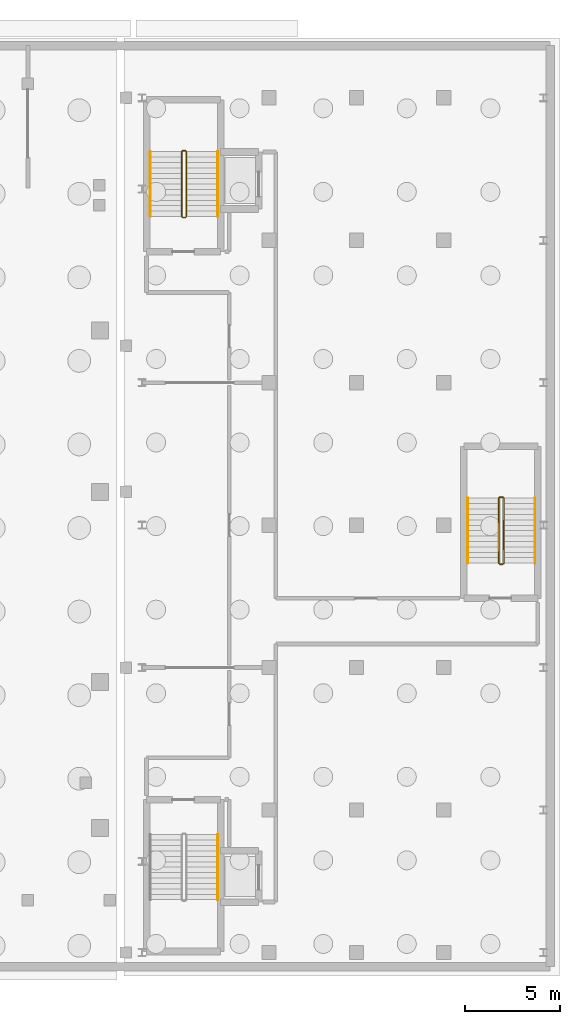
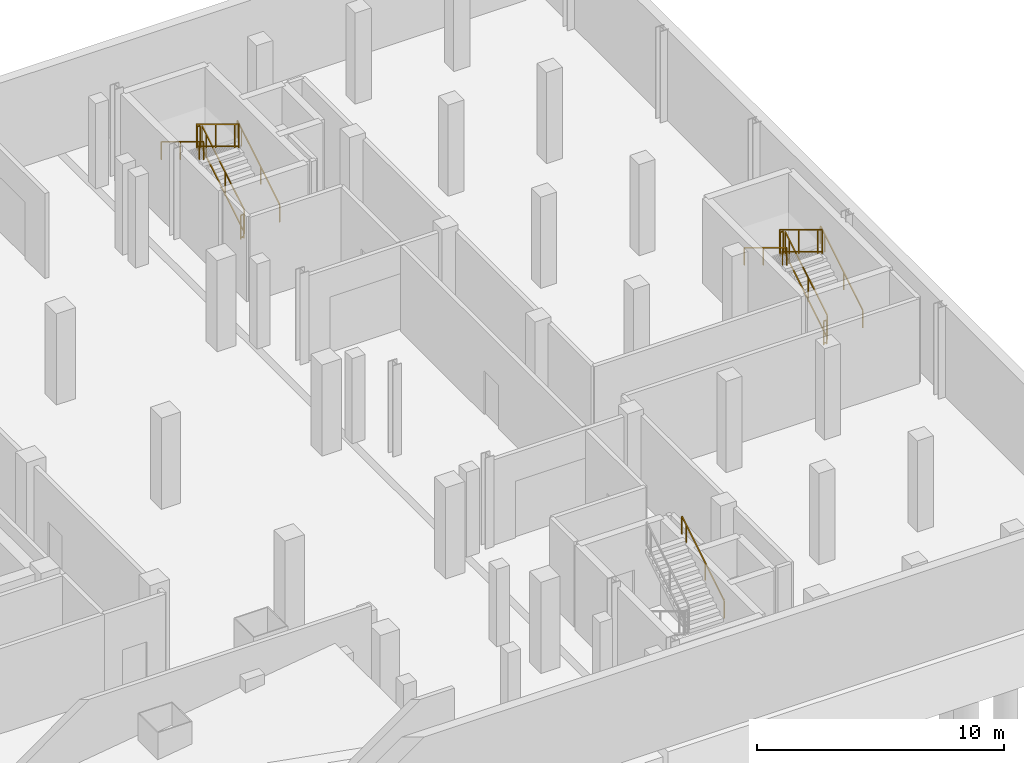
# One storey, part 14 of 15: 13 railings.
"""IFC4 building model written with IfcOpenShell, lengths in metres."""

from ifc_helpers import new_model, si_unit, direction, frame, origin, origin_2d, place, context, subcontext, project, spatial, rectangle, extrude, material, type_object, element, save


model = new_model("IFC4")

# Units and contexts
model_context = context("Model", 3, precision=1e-05, world=origin(), true_north=direction((0.0, 1.0)))
body_context = subcontext(model_context, "Body", "Model", "MODEL_VIEW")
ifc_project = project(units=[si_unit("LENGTHUNIT", "METRE"), si_unit("AREAUNIT", "SQUARE_METRE"), si_unit("VOLUMEUNIT", "CUBIC_METRE"), si_unit("PLANEANGLEUNIT", "RADIAN"), si_unit("MASSUNIT", "GRAM", prefix="KILO")], contexts=[model_context])

# Site, building, storey
site_placement = place(None, origin())
site = spatial("IfcSite", under=ifc_project, at=site_placement, CompositionType="ELEMENT")
building_placement = place(site_placement, origin())
building = spatial("IfcBuilding", under=site, at=building_placement, Name="Mersakhor Tower and Convention Hall", CompositionType="ELEMENT")
storey_placement = place(building_placement, frame((0.0, 0.0, -9.0)))
storey = spatial("IfcBuildingStorey", under=building, at=storey_placement, Name="B02", CompositionType="ELEMENT", Elevation=-9.0)

# Railings
ifc_material_1 = material(Name="Brushed stainless steel handrail", Category="steel")
railing_type_1 = type_object("IfcRailingType", Name="RL-HR-900", PredefinedType="HANDRAIL", material=ifc_material_1)
for number, where, name in (
    (1, (59.5, 6.030029296875, 2.423095703125), "B02 CH-ST1 stair handrail 2"),
    (2, (59.5, 42.0, 0.173095703125), "B02 CH-ST2 stair handrail 1"),
):
    element("IfcRailing", number, at=place(storey_placement, frame(where)), inside=storey, type_object=railing_type_1, Name=name, PredefinedType="HANDRAIL", context=body_context, shape_type="SweptSolid", body=[
        extrude(rectangle(XDim=0.048095703125, YDim=0.048095703125, at=origin_2d()), frame((0.0, 0.0, 0.8759765625), z_axis=(0.0, 0.854729506542, 0.519073665916), x_axis=(-1.0, 0.0, 0.0)), (0.0, 0.0, 1.0), 4.001220703125),
        extrude(rectangle(XDim=0.0419921875, YDim=0.0419921875, at=origin_2d()), origin(), (0.0, 0.0, 1.0), 0.851806640625),
        extrude(rectangle(XDim=0.0419921875, YDim=0.0419921875, at=origin_2d()), frame((0.0, 1.53857421875, 0.934326171875)), (0.0, 0.0, 1.0), 0.851806640625),
        extrude(rectangle(XDim=0.0419921875, YDim=0.0419921875, at=origin_2d()), frame((0.0, 3.076904296875, 1.86865234375)), (0.0, 0.0, 1.0), 0.851806640625),
        extrude(rectangle(XDim=0.0419921875, YDim=0.0419921875, at=origin_2d()), frame((0.0, 3.419921875, 2.076904296875)), (0.0, 0.0, 1.0), 0.851806640625),
    ])
railing_1_placement = place(storey_placement, frame((55.949951171875, 45.419921875, 2.423095703125)))
element("IfcRailing", 3, at=railing_1_placement, inside=storey, type_object=railing_type_1, Name="B02 CH-ST2 stair handrail 2", PredefinedType="HANDRAIL", context=body_context, shape_type="SweptSolid", body=[
    extrude(rectangle(XDim=0.048095703125, YDim=0.048095703125, at=origin_2d()), frame((0.0, 0.0, 0.8759765625), z_axis=(0.0, -0.854729506542, 0.519073665916), x_axis=(1.0, 0.0, 0.0)), (0.0, 0.0, 1.0), 4.001220703125),
    extrude(rectangle(XDim=0.0419921875, YDim=0.0419921875, at=origin_2d()), origin(), (0.0, 0.0, 1.0), 0.851806640625),
    extrude(rectangle(XDim=0.0419921875, YDim=0.0419921875, at=origin_2d()), frame((0.0, -1.53857421875, 0.934326171875)), (0.0, 0.0, 1.0), 0.851806640625),
    extrude(rectangle(XDim=0.0419921875, YDim=0.0419921875, at=origin_2d()), frame((0.0, -3.076904296875, 1.86865234375)), (0.0, 0.0, 1.0), 0.851806640625),
    extrude(rectangle(XDim=0.0419921875, YDim=0.0419921875, at=origin_2d()), frame((0.0, -3.419921875, 2.076904296875)), (0.0, 0.0, 1.0), 0.851806640625),
])
railing_2_placement = place(storey_placement, frame((76.199951171875, 23.75, 0.173095703125)))
element("IfcRailing", 4, at=railing_2_placement, inside=storey, type_object=railing_type_1, Name="B02 CH-ST3 stair handrail 1", PredefinedType="HANDRAIL", context=body_context, shape_type="SweptSolid", body=[
    extrude(rectangle(XDim=0.048095703125, YDim=0.048095703125, at=origin_2d()), frame((0.0, 0.0, 0.8759765625), z_axis=(0.0, 0.854729506542, 0.519073665916), x_axis=(-1.0, 0.0, 0.0)), (0.0, 0.0, 1.0), 4.001220703125),
    extrude(rectangle(XDim=0.0419921875, YDim=0.0419921875, at=origin_2d()), origin(), (0.0, 0.0, 1.0), 0.851806640625),
    extrude(rectangle(XDim=0.0419921875, YDim=0.0419921875, at=origin_2d()), frame((0.0, 1.53857421875, 0.934326171875)), (0.0, 0.0, 1.0), 0.851806640625),
    extrude(rectangle(XDim=0.0419921875, YDim=0.0419921875, at=origin_2d()), frame((0.0, 3.076904296875, 1.86865234375)), (0.0, 0.0, 1.0), 0.851806640625),
    extrude(rectangle(XDim=0.0419921875, YDim=0.0419921875, at=origin_2d()), frame((0.0, 3.419921875, 2.076904296875)), (0.0, 0.0, 1.0), 0.851806640625),
])
railing_3_placement = place(storey_placement, frame((72.64990234375, 27.169921875, 2.423095703125)))
element("IfcRailing", 5, at=railing_3_placement, inside=storey, type_object=railing_type_1, Name="B02 CH-ST3 stair handrail 2", PredefinedType="HANDRAIL", context=body_context, shape_type="SweptSolid", body=[
    extrude(rectangle(XDim=0.048095703125, YDim=0.048095703125, at=origin_2d()), frame((0.0, 0.0, 0.8759765625), z_axis=(0.0, -0.854729506542, 0.519073665916), x_axis=(1.0, 0.0, 0.0)), (0.0, 0.0, 1.0), 4.001220703125),
    extrude(rectangle(XDim=0.0419921875, YDim=0.0419921875, at=origin_2d()), origin(), (0.0, 0.0, 1.0), 0.851806640625),
    extrude(rectangle(XDim=0.0419921875, YDim=0.0419921875, at=origin_2d()), frame((0.0, -1.53857421875, 0.934326171875)), (0.0, 0.0, 1.0), 0.851806640625),
    extrude(rectangle(XDim=0.0419921875, YDim=0.0419921875, at=origin_2d()), frame((0.0, -3.076904296875, 1.86865234375)), (0.0, 0.0, 1.0), 0.851806640625),
    extrude(rectangle(XDim=0.0419921875, YDim=0.0419921875, at=origin_2d()), frame((0.0, -3.419921875, 2.076904296875)), (0.0, 0.0, 1.0), 0.851806640625),
])
ifc_material_2 = material(Name="Painted steel stair balustrade S355", Category="steel")
railing_type_2 = type_object("IfcRailingType", Name="RL-STG-1200", PredefinedType="BALUSTRADE", material=ifc_material_2)
railing_4_placement = place(storey_placement, frame((57.85009765625, 42.0, 0.173095703125)))
element("IfcRailing", 6, at=railing_4_placement, inside=storey, type_object=railing_type_2, Name="B02 CH-ST2 stair guard 1", PredefinedType="BALUSTRADE", context=body_context, shape_type="SweptSolid", body=[
    extrude(rectangle(XDim=0.048095703125, YDim=0.048095703125, at=origin_2d()), frame((0.0, 0.0, 1.17578125), z_axis=(0.0, 0.854729506542, 0.519073665916), x_axis=(-1.0, 0.0, 0.0)), (0.0, 0.0, 1.0), 4.001220703125),
    extrude(rectangle(XDim=0.048095703125, YDim=0.048095703125, at=origin_2d()), frame((0.0, 0.0, 0.080078125), z_axis=(0.0, 0.854729506542, 0.519073665916), x_axis=(-1.0, 0.0, 0.0)), (0.0, 0.0, 1.0), 4.001220703125),
    extrude(rectangle(XDim=0.0419921875, YDim=0.0419921875, at=origin_2d()), origin(), (0.0, 0.0, 1.0), 1.15185546875),
    extrude(rectangle(XDim=0.0419921875, YDim=0.0419921875, at=origin_2d()), frame((0.0, 1.53857421875, 0.934326171875)), (0.0, 0.0, 1.0), 1.15185546875),
    extrude(rectangle(XDim=0.0419921875, YDim=0.0419921875, at=origin_2d()), frame((0.0, 3.076904296875, 1.86865234375)), (0.0, 0.0, 1.0), 1.15185546875),
    extrude(rectangle(XDim=0.0419921875, YDim=0.0419921875, at=origin_2d()), frame((0.0, 3.419921875, 2.076904296875)), (0.0, 0.0, 1.0), 1.15185546875),
])
railing_5_placement = place(storey_placement, frame((57.800048828125, 45.469970703125, 2.25)))
element("IfcRailing", 7, at=railing_5_placement, inside=storey, type_object=railing_type_2, Name="B02 CH-ST2 stair guard 2", PredefinedType="BALUSTRADE", context=body_context, shape_type="SweptSolid", body=[
    extrude(rectangle(XDim=0.048095703125, YDim=0.048095703125, at=origin_2d()), frame((0.0, 0.0, 1.17578125), z_axis=(-1.0, 0.0, 0.0), x_axis=(0.0, -1.0, 0.0)), (0.0, 0.0, 1.0), 0.150146484375),
    extrude(rectangle(XDim=0.048095703125, YDim=0.048095703125, at=origin_2d()), frame((0.0, 0.0, 0.080078125), z_axis=(-1.0, 0.0, 0.0), x_axis=(0.0, -1.0, 0.0)), (0.0, 0.0, 1.0), 0.150146484375),
    extrude(rectangle(XDim=0.0419921875, YDim=0.0419921875, at=origin_2d()), origin(), (0.0, 0.0, 1.0), 1.15185546875),
    extrude(rectangle(XDim=0.0419921875, YDim=0.0419921875, at=origin_2d()), frame((-0.150146484375, 0.0, 0.0)), (0.0, 0.0, 1.0), 1.15185546875),
])
railing_6_placement = place(storey_placement, frame((57.60009765625, 45.419921875, 2.423095703125)))
element("IfcRailing", 8, at=railing_6_placement, inside=storey, type_object=railing_type_2, Name="B02 CH-ST2 stair guard 3", PredefinedType="BALUSTRADE", context=body_context, shape_type="SweptSolid", body=[
    extrude(rectangle(XDim=0.048095703125, YDim=0.048095703125, at=origin_2d()), frame((0.0, 0.0, 1.17578125), z_axis=(0.0, -0.854729506542, 0.519073665916), x_axis=(1.0, 0.0, 0.0)), (0.0, 0.0, 1.0), 4.001220703125),
    extrude(rectangle(XDim=0.048095703125, YDim=0.048095703125, at=origin_2d()), frame((0.0, 0.0, 0.080078125), z_axis=(0.0, -0.854729506542, 0.519073665916), x_axis=(1.0, 0.0, 0.0)), (0.0, 0.0, 1.0), 4.001220703125),
    extrude(rectangle(XDim=0.0419921875, YDim=0.0419921875, at=origin_2d()), origin(), (0.0, 0.0, 1.0), 1.15185546875),
    extrude(rectangle(XDim=0.0419921875, YDim=0.0419921875, at=origin_2d()), frame((0.0, -1.53857421875, 0.934326171875)), (0.0, 0.0, 1.0), 1.15185546875),
    extrude(rectangle(XDim=0.0419921875, YDim=0.0419921875, at=origin_2d()), frame((0.0, -3.076904296875, 1.86865234375)), (0.0, 0.0, 1.0), 1.15185546875),
    extrude(rectangle(XDim=0.0419921875, YDim=0.0419921875, at=origin_2d()), frame((0.0, -3.419921875, 2.076904296875)), (0.0, 0.0, 1.0), 1.15185546875),
])
railing_7_placement = place(storey_placement, frame((57.800048828125, 41.949951171875, 0.0)))
element("IfcRailing", 9, at=railing_7_placement, inside=storey, type_object=railing_type_2, Name="B02 CH-ST2 stair guard 4", PredefinedType="BALUSTRADE", context=body_context, shape_type="SweptSolid", body=[
    extrude(rectangle(XDim=0.048095703125, YDim=0.048095703125, at=origin_2d()), frame((0.0, 0.0, 1.17578125), z_axis=(-1.0, 0.0, 0.0), x_axis=(0.0, -1.0, 0.0)), (0.0, 0.0, 1.0), 0.150146484375),
    extrude(rectangle(XDim=0.048095703125, YDim=0.048095703125, at=origin_2d()), frame((0.0, 0.0, 0.080078125), z_axis=(-1.0, 0.0, 0.0), x_axis=(0.0, -1.0, 0.0)), (0.0, 0.0, 1.0), 0.150146484375),
    extrude(rectangle(XDim=0.0419921875, YDim=0.0419921875, at=origin_2d()), origin(), (0.0, 0.0, 1.0), 1.15185546875),
    extrude(rectangle(XDim=0.0419921875, YDim=0.0419921875, at=origin_2d()), frame((-0.150146484375, 0.0, 0.0)), (0.0, 0.0, 1.0), 1.15185546875),
])
railing_8_placement = place(storey_placement, frame((74.550048828125, 23.75, 0.173095703125)))
element("IfcRailing", 10, at=railing_8_placement, inside=storey, type_object=railing_type_2, Name="B02 CH-ST3 stair guard 1", PredefinedType="BALUSTRADE", context=body_context, shape_type="SweptSolid", body=[
    extrude(rectangle(XDim=0.048095703125, YDim=0.048095703125, at=origin_2d()), frame((0.0, 0.0, 1.17578125), z_axis=(0.0, 0.854729506542, 0.519073665916), x_axis=(-1.0, 0.0, 0.0)), (0.0, 0.0, 1.0), 4.001220703125),
    extrude(rectangle(XDim=0.048095703125, YDim=0.048095703125, at=origin_2d()), frame((0.0, 0.0, 0.080078125), z_axis=(0.0, 0.854729506542, 0.519073665916), x_axis=(-1.0, 0.0, 0.0)), (0.0, 0.0, 1.0), 4.001220703125),
    extrude(rectangle(XDim=0.0419921875, YDim=0.0419921875, at=origin_2d()), origin(), (0.0, 0.0, 1.0), 1.15185546875),
    extrude(rectangle(XDim=0.0419921875, YDim=0.0419921875, at=origin_2d()), frame((0.0, 1.53857421875, 0.934326171875)), (0.0, 0.0, 1.0), 1.15185546875),
    extrude(rectangle(XDim=0.0419921875, YDim=0.0419921875, at=origin_2d()), frame((0.0, 3.076904296875, 1.86865234375)), (0.0, 0.0, 1.0), 1.15185546875),
    extrude(rectangle(XDim=0.0419921875, YDim=0.0419921875, at=origin_2d()), frame((0.0, 3.419921875, 2.076904296875)), (0.0, 0.0, 1.0), 1.15185546875),
])
railing_9_placement = place(storey_placement, frame((74.5, 27.219970703125, 2.25)))
element("IfcRailing", 11, at=railing_9_placement, inside=storey, type_object=railing_type_2, Name="B02 CH-ST3 stair guard 2", PredefinedType="BALUSTRADE", context=body_context, shape_type="SweptSolid", body=[
    extrude(rectangle(XDim=0.048095703125, YDim=0.048095703125, at=origin_2d()), frame((0.0, 0.0, 1.17578125), z_axis=(-1.0, 0.0, 0.0), x_axis=(0.0, -1.0, 0.0)), (0.0, 0.0, 1.0), 0.14990234375),
    extrude(rectangle(XDim=0.048095703125, YDim=0.048095703125, at=origin_2d()), frame((0.0, 0.0, 0.080078125), z_axis=(-1.0, 0.0, 0.0), x_axis=(0.0, -1.0, 0.0)), (0.0, 0.0, 1.0), 0.14990234375),
    extrude(rectangle(XDim=0.0419921875, YDim=0.0419921875, at=origin_2d()), origin(), (0.0, 0.0, 1.0), 1.15185546875),
    extrude(rectangle(XDim=0.0419921875, YDim=0.0419921875, at=origin_2d()), frame((-0.14990234375, 0.0, 0.0)), (0.0, 0.0, 1.0), 1.15185546875),
])
railing_10_placement = place(storey_placement, frame((74.300048828125, 27.169921875, 2.423095703125)))
element("IfcRailing", 12, at=railing_10_placement, inside=storey, type_object=railing_type_2, Name="B02 CH-ST3 stair guard 3", PredefinedType="BALUSTRADE", context=body_context, shape_type="SweptSolid", body=[
    extrude(rectangle(XDim=0.048095703125, YDim=0.048095703125, at=origin_2d()), frame((0.0, 0.0, 1.17578125), z_axis=(0.0, -0.854729506542, 0.519073665916), x_axis=(1.0, 0.0, 0.0)), (0.0, 0.0, 1.0), 4.001220703125),
    extrude(rectangle(XDim=0.048095703125, YDim=0.048095703125, at=origin_2d()), frame((0.0, 0.0, 0.080078125), z_axis=(0.0, -0.854729506542, 0.519073665916), x_axis=(1.0, 0.0, 0.0)), (0.0, 0.0, 1.0), 4.001220703125),
    extrude(rectangle(XDim=0.0419921875, YDim=0.0419921875, at=origin_2d()), origin(), (0.0, 0.0, 1.0), 1.15185546875),
    extrude(rectangle(XDim=0.0419921875, YDim=0.0419921875, at=origin_2d()), frame((0.0, -1.53857421875, 0.934326171875)), (0.0, 0.0, 1.0), 1.15185546875),
    extrude(rectangle(XDim=0.0419921875, YDim=0.0419921875, at=origin_2d()), frame((0.0, -3.076904296875, 1.86865234375)), (0.0, 0.0, 1.0), 1.15185546875),
    extrude(rectangle(XDim=0.0419921875, YDim=0.0419921875, at=origin_2d()), frame((0.0, -3.419921875, 2.076904296875)), (0.0, 0.0, 1.0), 1.15185546875),
])
railing_11_placement = place(storey_placement, frame((74.5, 23.699951171875, 0.0)))
element("IfcRailing", 13, at=railing_11_placement, inside=storey, type_object=railing_type_2, Name="B02 CH-ST3 stair guard 4", PredefinedType="BALUSTRADE", context=body_context, shape_type="SweptSolid", body=[
    extrude(rectangle(XDim=0.048095703125, YDim=0.048095703125, at=origin_2d()), frame((0.0, 0.0, 1.17578125), z_axis=(-1.0, 0.0, 0.0), x_axis=(0.0, -1.0, 0.0)), (0.0, 0.0, 1.0), 0.14990234375),
    extrude(rectangle(XDim=0.048095703125, YDim=0.048095703125, at=origin_2d()), frame((0.0, 0.0, 0.080078125), z_axis=(-1.0, 0.0, 0.0), x_axis=(0.0, -1.0, 0.0)), (0.0, 0.0, 1.0), 0.14990234375),
    extrude(rectangle(XDim=0.0419921875, YDim=0.0419921875, at=origin_2d()), origin(), (0.0, 0.0, 1.0), 1.15185546875),
    extrude(rectangle(XDim=0.0419921875, YDim=0.0419921875, at=origin_2d()), frame((-0.14990234375, 0.0, 0.0)), (0.0, 0.0, 1.0), 1.15185546875),
])

save(model, "model.ifc")
